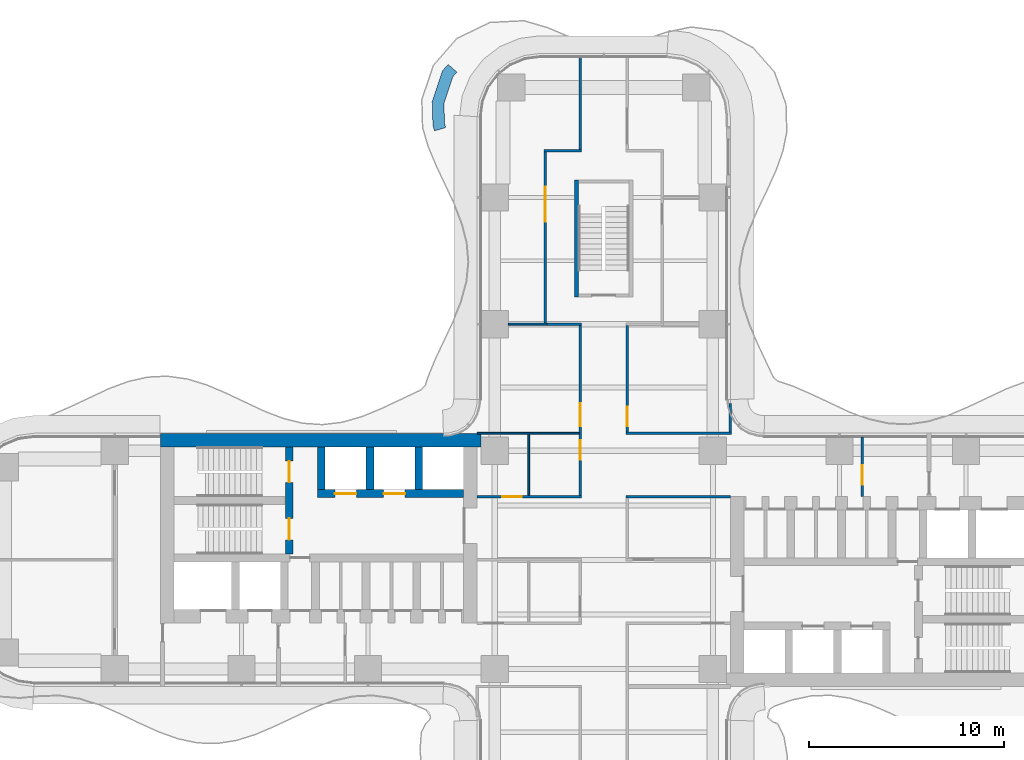
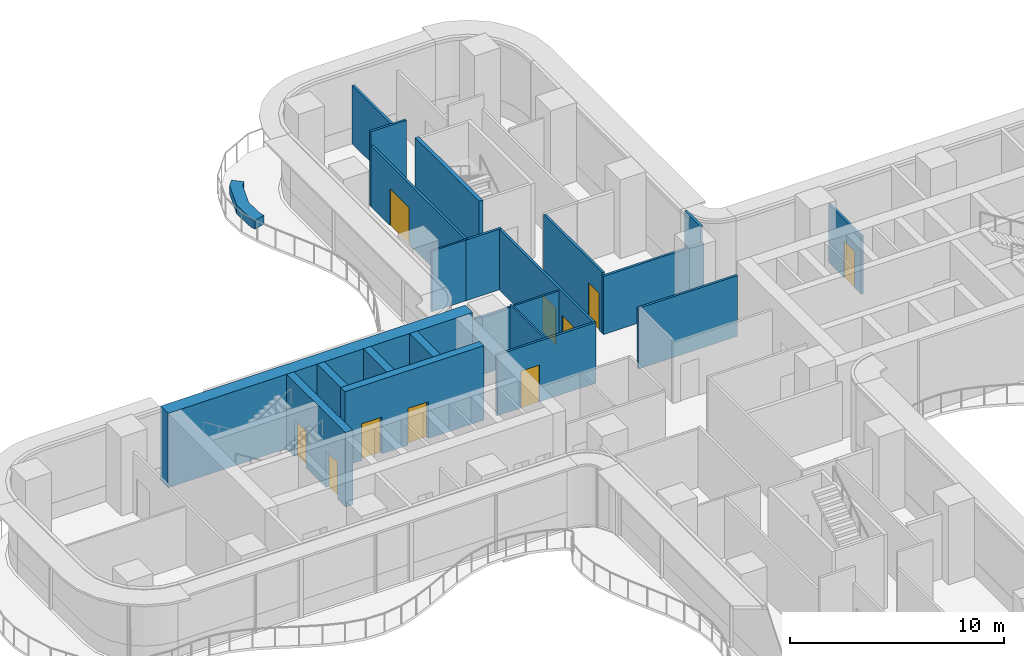
# One storey, part 19 of 23: 22 walls, 10 doors, 10 openings.
"""IFC4 building model written with IfcOpenShell, lengths in metres."""

from ifc_helpers import new_model, si_unit, direction, frame, frame_2d, origin, place, context, subcontext, project, spatial, polyline, rectangle, outline, extrude, source, transform, mapped, material, layer, layer_set, type_object, element, fill, save


model = new_model("IFC4")

# Units and contexts
model_context = context("Model", 3, precision=1e-05, world=origin(), true_north=direction((0.0, 1.0)))
body_context = subcontext(model_context, "Body", "Model", "MODEL_VIEW")
ifc_project = project(units=[si_unit("LENGTHUNIT", "METRE"), si_unit("AREAUNIT", "SQUARE_METRE"), si_unit("VOLUMEUNIT", "CUBIC_METRE"), si_unit("PLANEANGLEUNIT", "RADIAN"), si_unit("MASSUNIT", "GRAM", prefix="KILO")], contexts=[model_context])

# Site, building, storey
site_placement = place(None, origin())
site = spatial("IfcSite", under=ifc_project, at=site_placement, CompositionType="ELEMENT")
building_placement = place(site_placement, origin())
building = spatial("IfcBuilding", under=site, at=building_placement, Name="Trellis Farm Tower", CompositionType="ELEMENT")
storey_placement = place(building_placement, frame((0.0, 0.0, 83.5)))
storey = spatial("IfcBuildingStorey", under=building, at=storey_placement, Name="L17", CompositionType="ELEMENT", Elevation=83.5)

# Walls
ifc_material_1 = material(Name="Sandstone faced masonry planter", Category="masonry")
ifc_layer_1 = layer(ifc_material_1, 0.60009765625)
ifc_layer_set_1 = layer_set([ifc_layer_1], Name="PLANTER BED 600")
wall_type_1 = type_object("IfcWallType", Name="PLANTER BED 600", PredefinedType="USERDEFINED", material=ifc_layer_set_1)
wall_1_placement = place(storey_placement, origin())
element("IfcWall", 1, at=wall_1_placement, inside=storey, type_object=wall_type_1, Name="PLANTER bed", ObjectType="PLANTER", PredefinedType="USERDEFINED", context=body_context, shape_type="SweptSolid", body=[
    extrude(outline(polyline([(-8.769775390625, 22.302001953125), (-8.806396484375, 23.532958984375), (-8.284423828125, 25.09765625), (-7.989990234375, 25.4345703125), (-7.538330078125, 25.03955078125), (-7.75341796875, 24.79345703125), (-8.20361328125, 23.444091796875), (-8.17236328125, 22.396484375), (-8.112060546875, 22.190185546875), (-8.68798828125, 22.021728515625), (-8.769775390625, 22.302001953125)])), origin(), (0.0, 0.0, 1.0), 0.5),
])
ifc_material_2 = material(Name="Concrete C80/95", Category="concrete")
ifc_layer_2 = layer(ifc_material_2, 0.39990234375)
ifc_layer_set_2 = layer_set([ifc_layer_2], Name="CORE INNER WALL 400 CONCRETE C80/95")
wall_type_2 = type_object("IfcWallType", Name="CORE INNER WALL 400 CONCRETE C80/95", PredefinedType="SHEAR", material=ifc_layer_set_2)
shared_shape_1 = source(origin(), body_context, "Body", "SweptSolid", [
    extrude(rectangle(XDim=2.199951171875, YDim=0.39990234375, at=frame_2d((1.10009765625, 0.0))), origin(), (0.0, 0.0, 1.0), 4.25),
])
for number, where, z_axis, x_axis, name in (
    (2, (-9.5, 5.800048828125, 0.0), (0.0, 0.0, 1.0), (0.0, -1.0, 0.0), "Core wall"),
    (3, (-12.0, 5.800048828125, 0.0), (0.0, 0.0, 1.0), (0.0, -1.0, 0.0), "Core wall"),
    (4, (-14.5, 5.800048828125, 0.0), (0.0, 0.0, 1.0), (0.0, -1.0, 0.0), "Core wall"),
):
    element("IfcWall", number, at=place(storey_placement, frame(where, z_axis=z_axis, x_axis=x_axis)), inside=storey, type_object=wall_type_2, Name=name, PredefinedType="SHEAR", context=body_context, shape_type="MappedRepresentation", body=[
        mapped(shared_shape_1, transform((0.0, 0.0, 0.0))),
    ])
ifc_layer_3 = layer(ifc_material_2, 0.699951171875)
ifc_layer_set_3 = layer_set([ifc_layer_3], Name="CORE OUTER WALL 700 CONCRETE C80/95")
wall_type_3 = type_object("IfcWallType", Name="CORE OUTER WALL 700 CONCRETE C80/95", PredefinedType="SHEAR", material=ifc_layer_set_3)
shared_shape_2 = source(origin(), body_context, "Body", "SweptSolid", [
    extrude(rectangle(XDim=16.449951171875, YDim=0.699951171875, at=frame_2d((8.22509765625, 0.0))), origin(), (0.0, 0.0, 1.0), 4.25),
])
wall_2_placement = place(storey_placement, frame((-6.300048828125, 6.14990234375, 0.0), z_axis=(0.0, 0.0, 1.0), x_axis=(-1.0, 0.0, 0.0)))
element("IfcWall", 5, at=wall_2_placement, inside=storey, type_object=wall_type_3, Name="Core wall", PredefinedType="SHEAR", context=body_context, shape_type="MappedRepresentation", body=[
    mapped(shared_shape_2, transform((0.0, 0.0, 0.0))),
])

# Wall, openings, doors
shared_shape_3 = source(origin(), body_context, "Body", "SweptSolid", [
    extrude(rectangle(XDim=7.5, YDim=0.39990234375, at=frame_2d((3.75, 0.0))), origin(), (0.0, 0.0, 1.0), 4.25),
])
wall_3_placement = place(storey_placement, frame((-7.199951171875, 3.39990234375, 0.0), z_axis=(0.0, 0.0, 1.0), x_axis=(-1.0, 0.0, 0.0)))
wall_3 = element("IfcWall", 6, at=wall_3_placement, inside=storey, type_object=wall_type_2, Name="Core wall", PredefinedType="SHEAR", context=body_context, shape_type="MappedRepresentation", body=[
    mapped(shared_shape_3, transform((0.0, 0.0, 0.0))),
])
shared_shape_4 = source(origin(), body_context, "Body", "SweptSolid", [
    extrude(rectangle(XDim=1.10009765625, YDim=2.10009765625, at=frame_2d((0.550048828125, 1.050048828125))), frame((0.0, 0.2099609375, 0.0), z_axis=(0.0, -1.0, 0.0), x_axis=(1.0, 0.0, 0.0)), (0.0, 0.0, 1.0), 0.419921875),
])
opening_1_placement = place(wall_3_placement, frame((3.0, 0.0, 0.0)))
opening_1 = element("IfcOpeningElement", 7, at=opening_1_placement, cuts=wall_3, Name="Opening LD10", PredefinedType="OPENING", context=body_context, shape_type="MappedRepresentation", body=[
    mapped(shared_shape_4, transform((0.0, 0.0, 0.0))),
])
opening_2_placement = place(wall_3_placement, frame((5.5, 0.0, 0.0)))
opening_2 = element("IfcOpeningElement", 8, at=opening_2_placement, cuts=wall_3, Name="Opening LD11", PredefinedType="OPENING", context=body_context, shape_type="MappedRepresentation", body=[
    mapped(shared_shape_4, transform((0.0, 0.0, 0.0))),
])
ifc_material_3 = material(Name="Stainless steel", Category="steel")
door_type_1 = type_object("IfcDoorType", Name="LIFT LANDING DOOR 1100 X 2100", OperationType="DOUBLE_DOOR_SLIDING", PredefinedType="DOOR", material=ifc_material_3)
shared_shape_5 = source(origin(), body_context, "Body", "SweptSolid", [
    extrude(rectangle(XDim=1.10009765625, YDim=2.10009765625, at=frame_2d((0.550048828125, 1.050048828125))), frame((0.0, 0.02490234375, 0.0), z_axis=(0.0, -1.0, 0.0), x_axis=(1.0, 0.0, 0.0)), (0.0, 0.0, 1.0), 0.050048828125),
])
door_1_placement = place(opening_1_placement, origin())
door_1 = element("IfcDoor", 9, at=door_1_placement, inside=storey, type_object=door_type_1, Name="Lift landing door", OperationType="DOUBLE_DOOR_SLIDING", OverallHeight=2.10009765625, OverallWidth=1.10009765625, PredefinedType="DOOR", context=body_context, shape_type="MappedRepresentation", body=[
    mapped(shared_shape_5, transform((0.0, 0.0, 0.0))),
])
fill(opening_1, door_1)
door_2_placement = place(opening_2_placement, origin())
door_2 = element("IfcDoor", 10, at=door_2_placement, inside=storey, type_object=door_type_1, Name="Lift landing door", OperationType="DOUBLE_DOOR_SLIDING", OverallHeight=2.10009765625, OverallWidth=1.10009765625, PredefinedType="DOOR", context=body_context, shape_type="MappedRepresentation", body=[
    mapped(shared_shape_5, transform((0.0, 0.0, 0.0))),
])
fill(opening_2, door_2)

shared_shape_6 = source(origin(), body_context, "Body", "SweptSolid", [
    extrude(rectangle(XDim=5.5, YDim=0.39990234375, at=frame_2d((2.75, 0.0))), origin(), (0.0, 0.0, 1.0), 4.25),
])
wall_4_placement = place(storey_placement, frame((-16.14990234375, 5.800048828125, 0.0), z_axis=(0.0, 0.0, 1.0), x_axis=(0.0, -1.0, 0.0)))
wall_4 = element("IfcWall", 11, at=wall_4_placement, inside=storey, type_object=wall_type_2, Name="Core wall", PredefinedType="SHEAR", context=body_context, shape_type="MappedRepresentation", body=[
    mapped(shared_shape_6, transform((0.0, 0.0, 0.0))),
])
opening_3_placement = place(wall_4_placement, frame((0.72509765625, 0.0, 0.0)))
opening_3 = element("IfcOpeningElement", 12, at=opening_3_placement, cuts=wall_4, Name="Opening DC88", PredefinedType="OPENING", context=body_context, shape_type="MappedRepresentation", body=[
    mapped(shared_shape_4, transform((0.0, 0.0, 0.0))),
])
opening_4_placement = place(wall_4_placement, frame((3.675048828125, 0.0, 0.0)))
opening_4 = element("IfcOpeningElement", 13, at=opening_4_placement, cuts=wall_4, Name="Opening DC89", PredefinedType="OPENING", context=body_context, shape_type="MappedRepresentation", body=[
    mapped(shared_shape_4, transform((0.0, 0.0, 0.0))),
])
ifc_material_4 = material(Name="Steel", Category="steel")
door_type_2 = type_object("IfcDoorType", Name="CORE FIRE DOOR 1100 X 2100", OperationType="NOTDEFINED", PredefinedType="DOOR", material=ifc_material_4)
door_3_placement = place(opening_3_placement, origin())
door_3 = element("IfcDoor", 14, at=door_3_placement, inside=storey, type_object=door_type_2, Name="Core door", OperationType="SINGLE_SWING_RIGHT", OverallHeight=2.10009765625, OverallWidth=1.10009765625, PredefinedType="DOOR", context=body_context, shape_type="MappedRepresentation", body=[
    mapped(shared_shape_5, transform((0.0, 0.0, 0.0))),
])
fill(opening_3, door_3)
door_4_placement = place(opening_4_placement, origin())
door_4 = element("IfcDoor", 15, at=door_4_placement, inside=storey, type_object=door_type_2, Name="Core door", OperationType="SINGLE_SWING_LEFT", OverallHeight=2.10009765625, OverallWidth=1.10009765625, PredefinedType="DOOR", context=body_context, shape_type="MappedRepresentation", body=[
    mapped(shared_shape_5, transform((0.0, 0.0, 0.0))),
])
fill(opening_4, door_4)

# Wall
ifc_layer_4 = layer(ifc_material_2, 0.199951171875)
ifc_layer_set_4 = layer_set([ifc_layer_4], Name="CORE STAIR ENCLOSURE WALL 200 CONCRETE C80/95")
wall_type_4 = type_object("IfcWallType", Name="CORE STAIR ENCLOSURE WALL 200 CONCRETE C80/95", PredefinedType="SHEAR", material=ifc_layer_set_4)
shared_shape_7 = source(origin(), body_context, "Body", "SweptSolid", [
    extrude(rectangle(XDim=6.0, YDim=0.199951171875, at=frame_2d((3.0, 0.0))), origin(), (0.0, 0.0, 1.0), 4.25),
])
wall_5_placement = place(storey_placement, frame((-1.39990234375, 13.5, 0.0), z_axis=(0.0, 0.0, 1.0), x_axis=(0.0, 1.0, 0.0)))
element("IfcWall", 16, at=wall_5_placement, inside=storey, type_object=wall_type_4, Name="Stair enclosure wall", PredefinedType="SHEAR", context=body_context, shape_type="MappedRepresentation", body=[
    mapped(shared_shape_7, transform((0.0, 0.0, 0.0))),
])

# Wall, opening, door
ifc_material_5 = material(Name="Plasterboard on steel studs, mineral wool", Category="steel")
ifc_layer_5 = layer(ifc_material_5, 0.125)
ifc_layer_set_5 = layer_set([ifc_layer_5], Name="PARTITION 125 STUD EI 60")
wall_type_5 = type_object("IfcWallType", Name="PARTITION 125 STUD EI 60", PredefinedType="PARTITIONING", material=ifc_layer_set_5)
shared_shape_8 = source(origin(), body_context, "Body", "SweptSolid", [
    extrude(rectangle(XDim=5.47509765625, YDim=0.125, at=frame_2d((2.737548828125, 0.0))), origin(), (0.0, 0.0, 1.0), 3.4677734375),
])
wall_6_placement = place(storey_placement, frame((1.199951171875, 12.03759765625, 0.0), z_axis=(0.0, 0.0, 1.0), x_axis=(0.0, -1.0, 0.0)))
wall_6 = element("IfcWall", 17, at=wall_6_placement, inside=storey, type_object=wall_type_5, Name="Partition PW1", PredefinedType="PARTITIONING", context=body_context, shape_type="MappedRepresentation", body=[
    mapped(shared_shape_8, transform((0.0, 0.0, 0.0))),
])
shared_shape_9 = source(origin(), body_context, "Body", "SweptSolid", [
    extrude(rectangle(XDim=1.0, YDim=2.10009765625, at=frame_2d((0.5, 1.050048828125))), frame((0.0, 0.072509765625, 0.0), z_axis=(0.0, -1.0, 0.0), x_axis=(1.0, 0.0, 0.0)), (0.0, 0.0, 1.0), 0.14501953125),
])
opening_5_placement = place(wall_6_placement, frame((4.1875, 0.0, 0.0)))
opening_5 = element("IfcOpeningElement", 18, at=opening_5_placement, cuts=wall_6, Name="Opening D305", PredefinedType="OPENING", context=body_context, shape_type="MappedRepresentation", body=[
    mapped(shared_shape_9, transform((0.0, 0.0, 0.0))),
])
ifc_material_6 = material(Name="Fire-rated timber door leaf in a hollow metal frame", Category="wood")
door_type_3 = type_object("IfcDoorType", Name="DOOR 1000x2100 FD60", OperationType="NOTDEFINED", PredefinedType="DOOR", material=ifc_material_6)
shared_shape_10 = source(origin(), body_context, "Body", "SweptSolid", [
    extrude(rectangle(XDim=1.0, YDim=2.10009765625, at=frame_2d((0.5, 1.050048828125))), frame((0.0, 0.02490234375, 0.0), z_axis=(0.0, -1.0, 0.0), x_axis=(1.0, 0.0, 0.0)), (0.0, 0.0, 1.0), 0.050048828125),
])
door_5_placement = place(opening_5_placement, origin())
door_5 = element("IfcDoor", 19, at=door_5_placement, inside=storey, type_object=door_type_3, Name="Door D305", OperationType="SINGLE_SWING_RIGHT", OverallHeight=2.10009765625, OverallWidth=1.0, PredefinedType="DOOR", context=body_context, shape_type="MappedRepresentation", body=[
    mapped(shared_shape_10, transform((0.0, 0.0, 0.0))),
])
fill(opening_5, door_5)

# Walls
shared_shape_11 = source(origin(), body_context, "Body", "SweptSolid", [
    extrude(rectangle(XDim=1.468994140625, YDim=0.125, at=frame_2d((0.734375, 0.0))), origin(), (0.0, 0.0, 1.0), 4.25),
])
wall_7_placement = place(storey_placement, frame((6.5, 6.5625, 0.0), z_axis=(0.0, 0.0, 1.0), x_axis=(0.0, 1.0, 0.0)))
element("IfcWall", 20, at=wall_7_placement, inside=storey, type_object=wall_type_5, Name="Partition PW1", PredefinedType="PARTITIONING", context=body_context, shape_type="MappedRepresentation", body=[
    mapped(shared_shape_11, transform((0.0, 0.0, 0.0))),
])
shared_shape_12 = source(origin(), body_context, "Body", "SweptSolid", [
    extrude(rectangle(XDim=1.925048828125, YDim=0.125, at=frame_2d((0.96240234375, 0.0))), origin(), (0.0, 0.0, 1.0), 3.4677734375),
])
wall_8_placement = place(storey_placement, frame((-1.137451171875, 12.10009765625, 0.0), z_axis=(0.0, 0.0, 1.0), x_axis=(-1.0, 0.0, 0.0)))
element("IfcWall", 21, at=wall_8_placement, inside=storey, type_object=wall_type_5, Name="Partition PW1", PredefinedType="PARTITIONING", context=body_context, shape_type="MappedRepresentation", body=[
    mapped(shared_shape_12, transform((0.0, 0.0, 0.0))),
])

# Wall, opening, door
shared_shape_13 = source(origin(), body_context, "Body", "SweptSolid", [
    extrude(rectangle(XDim=5.362548828125, YDim=0.125, at=frame_2d((2.68115234375, 0.0))), origin(), (0.0, 0.0, 1.0), 3.4677734375),
])
wall_9_placement = place(storey_placement, frame((-6.5, 3.25, 0.0), z_axis=(0.0, 0.0, 1.0), x_axis=(1.0, 0.0, 0.0)))
wall_9 = element("IfcWall", 22, at=wall_9_placement, inside=storey, type_object=wall_type_5, Name="Partition PW1", PredefinedType="PARTITIONING", context=body_context, shape_type="MappedRepresentation", body=[
    mapped(shared_shape_13, transform((0.0, 0.0, 0.0))),
])
opening_6_placement = place(wall_9_placement, frame((1.300048828125, 0.0, 0.0)))
opening_6 = element("IfcOpeningElement", 23, at=opening_6_placement, cuts=wall_9, Name="Opening D107", PredefinedType="OPENING", context=body_context, shape_type="MappedRepresentation", body=[
    mapped(shared_shape_9, transform((0.0, 0.0, 0.0))),
])
door_type_4 = type_object("IfcDoorType", Name="DOOR 1000x2100 FD30S", OperationType="NOTDEFINED", PredefinedType="DOOR", material=ifc_material_6)
door_6_placement = place(opening_6_placement, origin())
door_6 = element("IfcDoor", 24, at=door_6_placement, inside=storey, type_object=door_type_4, Name="Door D107", OperationType="SINGLE_SWING_RIGHT", OverallHeight=2.10009765625, OverallWidth=1.0, PredefinedType="DOOR", context=body_context, shape_type="MappedRepresentation", body=[
    mapped(shared_shape_10, transform((0.0, 0.0, 0.0))),
])
fill(opening_6, door_6)

# Walls
wall_10_placement = place(storey_placement, frame((1.137451171875, 3.25, 0.0), z_axis=(0.0, 0.0, 1.0), x_axis=(1.0, 0.0, 0.0)))
element("IfcWall", 25, at=wall_10_placement, inside=storey, type_object=wall_type_5, Name="Partition PW1", PredefinedType="PARTITIONING", context=body_context, shape_type="MappedRepresentation", body=[
    mapped(shared_shape_13, transform((0.0, 0.0, 0.0))),
])
shared_shape_14 = source(origin(), body_context, "Body", "SweptSolid", [
    extrude(rectangle(XDim=5.425048828125, YDim=0.125, at=frame_2d((2.71240234375, 0.0))), origin(), (0.0, 0.0, 1.0), 3.330078125),
])
wall_11_placement = place(storey_placement, frame((1.137451171875, 6.5, 0.0), z_axis=(0.0, 0.0, 1.0), x_axis=(1.0, 0.0, 0.0)))
element("IfcWall", 26, at=wall_11_placement, inside=storey, type_object=wall_type_5, Name="Partition PW1", PredefinedType="PARTITIONING", context=body_context, shape_type="MappedRepresentation", body=[
    mapped(shared_shape_14, transform((0.0, 0.0, 0.0))),
])

# Wall, openings, doors
shared_shape_15 = source(origin(), body_context, "Body", "SweptSolid", [
    extrude(rectangle(XDim=8.72509765625, YDim=0.125, at=frame_2d((4.362548828125, 0.0))), origin(), (0.0, 0.0, 1.0), 3.4677734375),
])
wall_12_placement = place(storey_placement, frame((-1.199951171875, 12.03759765625, 0.0), z_axis=(0.0, 0.0, 1.0), x_axis=(0.0, -1.0, 0.0)))
wall_12 = element("IfcWall", 27, at=wall_12_placement, inside=storey, type_object=wall_type_5, Name="Partition PW1", PredefinedType="PARTITIONING", context=body_context, shape_type="MappedRepresentation", body=[
    mapped(shared_shape_15, transform((0.0, 0.0, 0.0))),
])
opening_7_placement = place(wall_12_placement, frame((5.887451171875, 0.0, 0.0)))
opening_7 = element("IfcOpeningElement", 28, at=opening_7_placement, cuts=wall_12, Name="Opening D108", PredefinedType="OPENING", context=body_context, shape_type="MappedRepresentation", body=[
    mapped(shared_shape_9, transform((0.0, 0.0, 0.0))),
])
shared_shape_16 = source(origin(), body_context, "Body", "SweptSolid", [
    extrude(rectangle(XDim=1.199951171875, YDim=2.10009765625, at=frame_2d((0.60009765625, 1.050048828125))), frame((0.0, 0.072509765625, 0.0), z_axis=(0.0, -1.0, 0.0), x_axis=(1.0, 0.0, 0.0)), (0.0, 0.0, 1.0), 0.14501953125),
])
opening_8_placement = place(wall_12_placement, frame((3.987548828125, 0.0, 0.0)))
opening_8 = element("IfcOpeningElement", 29, at=opening_8_placement, cuts=wall_12, Name="Opening D603", PredefinedType="OPENING", context=body_context, shape_type="MappedRepresentation", body=[
    mapped(shared_shape_16, transform((0.0, 0.0, 0.0))),
])
door_7_placement = place(opening_7_placement, origin())
door_7 = element("IfcDoor", 30, at=door_7_placement, inside=storey, type_object=door_type_4, Name="Door D108", OperationType="SINGLE_SWING_LEFT", OverallHeight=2.10009765625, OverallWidth=1.0, PredefinedType="DOOR", context=body_context, shape_type="MappedRepresentation", body=[
    mapped(shared_shape_10, transform((0.0, 0.0, 0.0))),
])
fill(opening_7, door_7)
door_type_5 = type_object("IfcDoorType", Name="DOOR 1200x2100 FD30S", OperationType="NOTDEFINED", PredefinedType="DOOR", material=ifc_material_6)
shared_shape_17 = source(origin(), body_context, "Body", "SweptSolid", [
    extrude(rectangle(XDim=1.199951171875, YDim=2.10009765625, at=frame_2d((0.60009765625, 1.050048828125))), frame((0.0, 0.02490234375, 0.0), z_axis=(0.0, -1.0, 0.0), x_axis=(1.0, 0.0, 0.0)), (0.0, 0.0, 1.0), 0.050048828125),
])
door_8_placement = place(opening_8_placement, origin())
door_8 = element("IfcDoor", 31, at=door_8_placement, inside=storey, type_object=door_type_5, Name="Door D603", OperationType="SINGLE_SWING_RIGHT", OverallHeight=2.10009765625, OverallWidth=1.199951171875, PredefinedType="DOOR", context=body_context, shape_type="MappedRepresentation", body=[
    mapped(shared_shape_17, transform((0.0, 0.0, 0.0))),
])
fill(opening_8, door_8)

# Walls
ifc_material_7 = material(Name="Plasterboard on steel studs", Category="steel")
ifc_layer_6 = layer(ifc_material_7, 0.10009765625)
ifc_layer_set_6 = layer_set([ifc_layer_6], Name="PARTITION 100 STUD EI 30")
wall_type_6 = type_object("IfcWallType", Name="PARTITION 100 STUD EI 30", PredefinedType="PARTITIONING", material=ifc_layer_set_6)
shared_shape_18 = source(origin(), body_context, "Body", "SweptSolid", [
    extrude(rectangle(XDim=1.96240234375, YDim=0.10009765625, at=frame_2d((0.981201171875, 0.0))), origin(), (0.0, 0.0, 1.0), 3.4677734375),
])
wall_13_placement = place(storey_placement, frame((-4.89990234375, 12.10009765625, 0.0), z_axis=(0.0, 0.0, 1.0), x_axis=(1.0, 0.0, 0.0)))
element("IfcWall", 32, at=wall_13_placement, inside=storey, type_object=wall_type_6, Name="Partition PW2", PredefinedType="PARTITIONING", context=body_context, shape_type="MappedRepresentation", body=[
    mapped(shared_shape_18, transform((0.0, 0.0, 0.0))),
])
shared_shape_19 = source(origin(), body_context, "Body", "SweptSolid", [
    extrude(rectangle(XDim=1.925048828125, YDim=0.125, at=frame_2d((0.96240234375, 0.0))), origin(), (0.0, 0.0, 1.0), 4.25),
])
wall_14_placement = place(storey_placement, frame((-3.0625, 21.0, 0.0), z_axis=(0.0, 0.0, 1.0), x_axis=(1.0, 0.0, 0.0)))
element("IfcWall", 33, at=wall_14_placement, inside=storey, type_object=wall_type_5, Name="Partition PW1", PredefinedType="PARTITIONING", context=body_context, shape_type="MappedRepresentation", body=[
    mapped(shared_shape_19, transform((0.0, 0.0, 0.0))),
])
shared_shape_20 = source(origin(), body_context, "Body", "SweptSolid", [
    extrude(rectangle(XDim=5.237548828125, YDim=0.10009765625, at=frame_2d((2.61865234375, 0.0))), origin(), (0.0, 0.0, 1.0), 3.330078125),
])
wall_15_placement = place(storey_placement, frame((-6.5, 6.5, 0.0), z_axis=(0.0, 0.0, 1.0), x_axis=(1.0, 0.0, 0.0)))
element("IfcWall", 34, at=wall_15_placement, inside=storey, type_object=wall_type_6, Name="Partition PW2", PredefinedType="PARTITIONING", context=body_context, shape_type="MappedRepresentation", body=[
    mapped(shared_shape_20, transform((0.0, 0.0, 0.0))),
])

# Wall, opening, door
shared_shape_21 = source(origin(), body_context, "Body", "SweptSolid", [
    extrude(rectangle(XDim=8.78759765625, YDim=0.125, at=frame_2d((4.393798828125, 0.0))), origin(), (0.0, 0.0, 1.0), 3.4677734375),
])
wall_16_placement = place(storey_placement, frame((-3.0, 12.14990234375, 0.0), z_axis=(0.0, 0.0, 1.0), x_axis=(0.0, 1.0, 0.0)))
wall_16 = element("IfcWall", 35, at=wall_16_placement, inside=storey, type_object=wall_type_5, Name="Partition PW1", PredefinedType="PARTITIONING", context=body_context, shape_type="MappedRepresentation", body=[
    mapped(shared_shape_21, transform((0.0, 0.0, 0.0))),
])
shared_shape_22 = source(origin(), body_context, "Body", "SweptSolid", [
    extrude(rectangle(XDim=1.800048828125, YDim=2.10009765625, at=frame_2d((0.89990234375, 1.050048828125))), frame((0.0, 0.072509765625, 0.0), z_axis=(0.0, -1.0, 0.0), x_axis=(1.0, 0.0, 0.0)), (0.0, 0.0, 1.0), 0.14501953125),
])
opening_9_placement = place(wall_16_placement, frame((5.199951171875, 0.0, 0.0)))
opening_9 = element("IfcOpeningElement", 36, at=opening_9_placement, cuts=wall_16, Name="Opening D202", PredefinedType="OPENING", context=body_context, shape_type="MappedRepresentation", body=[
    mapped(shared_shape_22, transform((0.0, 0.0, 0.0))),
])
door_type_6 = type_object("IfcDoorType", Name="DOOR PAIR 1800x2100 FD30S", OperationType="NOTDEFINED", PredefinedType="DOOR", material=ifc_material_6)
shared_shape_23 = source(origin(), body_context, "Body", "SweptSolid", [
    extrude(rectangle(XDim=1.800048828125, YDim=2.10009765625, at=frame_2d((0.89990234375, 1.050048828125))), frame((0.0, 0.02490234375, 0.0), z_axis=(0.0, -1.0, 0.0), x_axis=(1.0, 0.0, 0.0)), (0.0, 0.0, 1.0), 0.050048828125),
])
door_9_placement = place(opening_9_placement, origin())
door_9 = element("IfcDoor", 37, at=door_9_placement, inside=storey, type_object=door_type_6, Name="Door D202", OperationType="DOUBLE_DOOR_SINGLE_SWING", OverallHeight=2.10009765625, OverallWidth=1.800048828125, PredefinedType="DOOR", context=body_context, shape_type="MappedRepresentation", body=[
    mapped(shared_shape_23, transform((0.0, 0.0, 0.0))),
])
fill(opening_9, door_9)

shared_shape_24 = source(origin(), body_context, "Body", "SweptSolid", [
    extrude(rectangle(XDim=3.050048828125, YDim=0.125, at=frame_2d((1.52490234375, 0.0))), origin(), (0.0, 0.0, 1.0), 3.330078125),
])
wall_17_placement = place(storey_placement, frame((13.26708984375, 3.25, 0.0), z_axis=(0.0, 0.0, 1.0), x_axis=(0.0, 1.0, 0.0)))
wall_17 = element("IfcWall", 38, at=wall_17_placement, inside=storey, type_object=wall_type_5, Name="Partition PW1", PredefinedType="PARTITIONING", context=body_context, shape_type="MappedRepresentation", body=[
    mapped(shared_shape_24, transform((0.0, 0.0, 0.0))),
])
opening_10_placement = place(wall_17_placement, frame((0.60009765625, 0.0, 0.0)))
opening_10 = element("IfcOpeningElement", 39, at=opening_10_placement, cuts=wall_17, Name="Opening D304", PredefinedType="OPENING", context=body_context, shape_type="MappedRepresentation", body=[
    mapped(shared_shape_9, transform((0.0, 0.0, 0.0))),
])
door_10_placement = place(opening_10_placement, origin())
door_10 = element("IfcDoor", 40, at=door_10_placement, inside=storey, type_object=door_type_3, Name="Door D304", OperationType="SINGLE_SWING_LEFT", OverallHeight=2.10009765625, OverallWidth=1.0, PredefinedType="DOOR", context=body_context, shape_type="MappedRepresentation", body=[
    mapped(shared_shape_10, transform((0.0, 0.0, 0.0))),
])
fill(opening_10, door_10)

# Walls
shared_shape_25 = source(origin(), body_context, "Body", "SweptSolid", [
    extrude(rectangle(XDim=3.137451171875, YDim=0.10009765625, at=frame_2d((1.56884765625, 0.0))), origin(), (0.0, 0.0, 1.0), 3.4677734375),
])
wall_18_placement = place(storey_placement, frame((-3.85009765625, 3.3125, 0.0), z_axis=(0.0, 0.0, 1.0), x_axis=(0.0, 1.0, 0.0)))
element("IfcWall", 41, at=wall_18_placement, inside=storey, type_object=wall_type_6, Name="Partition PW2", PredefinedType="PARTITIONING", context=body_context, shape_type="MappedRepresentation", body=[
    mapped(shared_shape_25, transform((0.0, 0.0, 0.0))),
])
shared_shape_26 = source(origin(), body_context, "Body", "SweptSolid", [
    extrude(rectangle(XDim=4.737548828125, YDim=0.125, at=frame_2d((2.36865234375, 0.0))), origin(), (0.0, 0.0, 1.0), 3.330078125),
])
wall_19_placement = place(storey_placement, frame((-1.199951171875, 25.800048828125, 0.0), z_axis=(0.0, 0.0, 1.0), x_axis=(0.0, -1.0, 0.0)))
element("IfcWall", 42, at=wall_19_placement, inside=storey, type_object=wall_type_5, Name="Partition PW1", PredefinedType="PARTITIONING", context=body_context, shape_type="MappedRepresentation", body=[
    mapped(shared_shape_26, transform((0.0, 0.0, 0.0))),
])

save(model, "model.ifc")
